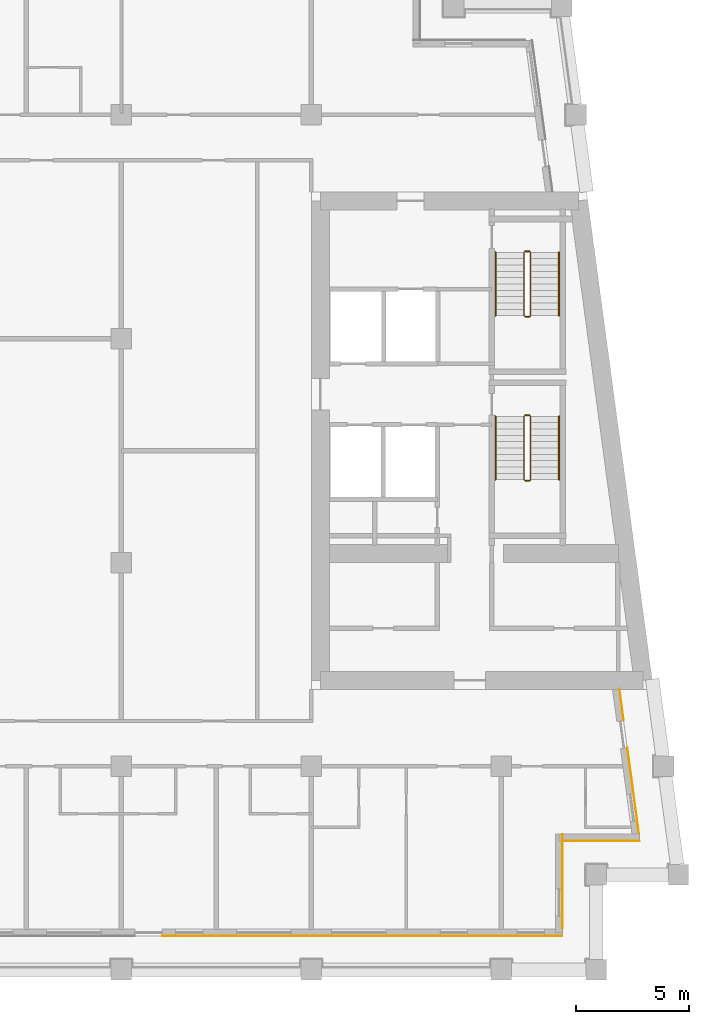
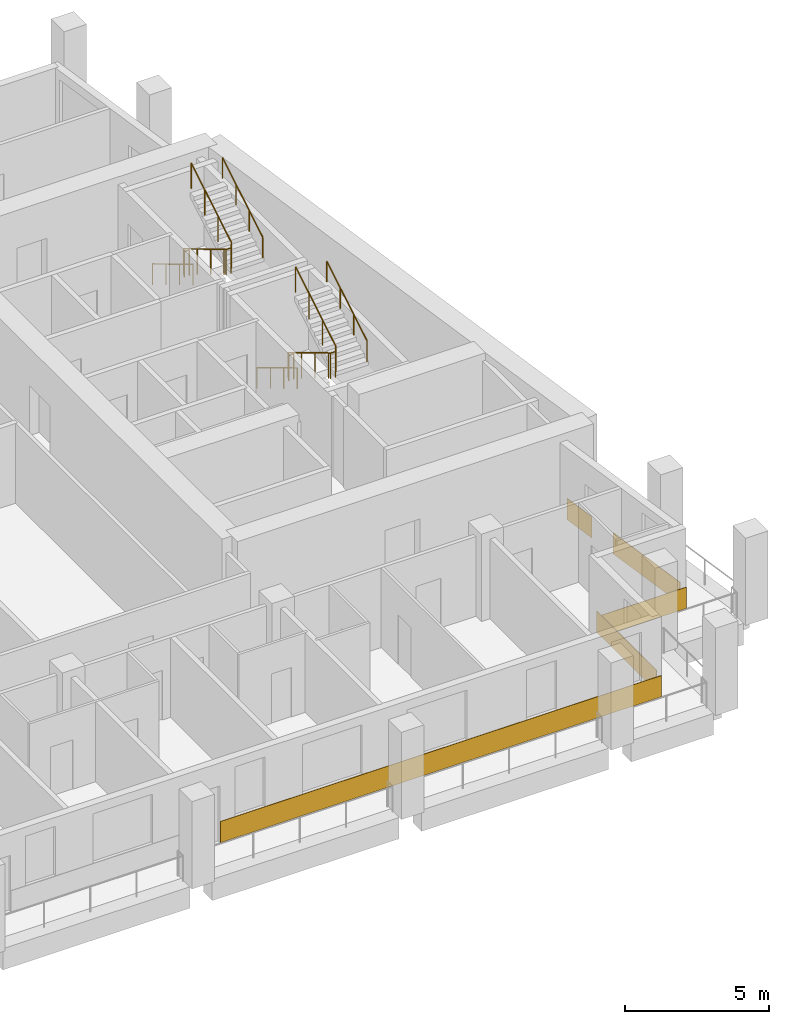
# One storey, part 10 of 12: 8 railings, 5 coverings.
"""IFC4 building model written with IfcOpenShell, lengths in metres."""

from ifc_helpers import new_model, si_unit, direction, frame, origin, origin_2d, place, context, subcontext, project, spatial, rectangle, circle, extrude, material, layer, layer_set, type_object, element, save


model = new_model("IFC4")

# Units and contexts
model_context = context("Model", 3, precision=1e-05, world=origin(), true_north=direction((0.0, 1.0)))
body_context = subcontext(model_context, "Body", "Model", "MODEL_VIEW")
ifc_project = project(units=[si_unit("LENGTHUNIT", "METRE"), si_unit("AREAUNIT", "SQUARE_METRE"), si_unit("VOLUMEUNIT", "CUBIC_METRE"), si_unit("PLANEANGLEUNIT", "RADIAN"), si_unit("MASSUNIT", "GRAM", prefix="KILO")], contexts=[model_context])

# Site, building, storey
site_placement = place(None, origin())
site = spatial("IfcSite", under=ifc_project, at=site_placement, CompositionType="ELEMENT")
building_placement = place(site_placement, origin())
building = spatial("IfcBuilding", under=site, at=building_placement, Name="Candeia Pilgrim Tower and Theatre", CompositionType="ELEMENT")
storey_placement = place(building_placement, frame((0.0, 0.0, 217.0)))
storey = spatial("IfcBuildingStorey", under=building, at=storey_placement, Name="L52", CompositionType="ELEMENT", Elevation=217.0)

# Coverings
ifc_material_1 = material(Name="Glazed ceramic tile bottle green")
ifc_layer_1 = layer(ifc_material_1, 0.02001953125)
ifc_layer_set_1 = layer_set([ifc_layer_1], Name="Glazed ceramic tile bottle green")
covering_type_1 = type_object("IfcCoveringType", Name="Glazed ceramic tile bottle green", PredefinedType="CLADDING", material=ifc_layer_set_1)
covering_1_placement = place(storey_placement, frame((128.25, 99.489990234375, 0.0), z_axis=(0.0, 0.0, 1.0), x_axis=(1.0, 0.0, 0.0)))
element("IfcCovering", 1, at=covering_1_placement, inside=storey, type_object=covering_type_1, Name="Tile cladding bottle green L52", PredefinedType="CLADDING", context=body_context, shape_type="SweptSolid", body=[
    extrude(rectangle(XDim=17.699951171875, YDim=0.02001953125, at=origin_2d()), origin(), (0.0, 0.0, 1.0), 0.89990234375),
])
covering_2_placement = place(storey_placement, frame((138.819580078125, 103.68994140625, 0.0), z_axis=(0.0, 0.0, 1.0), x_axis=(1.0, 0.0, 0.0)))
element("IfcCovering", 2, at=covering_2_placement, inside=storey, type_object=covering_type_1, Name="Tile cladding bottle green L52", PredefinedType="CLADDING", context=body_context, shape_type="SweptSolid", body=[
    extrude(rectangle(XDim=3.399169921875, YDim=0.02001953125, at=origin_2d()), origin(), (0.0, 0.0, 1.0), 0.89990234375),
])
ifc_material_2 = material(Name="Glazed ceramic tile rust")
ifc_layer_2 = layer(ifc_material_2, 0.02001953125)
ifc_layer_set_2 = layer_set([ifc_layer_2], Name="Glazed ceramic tile rust")
covering_type_2 = type_object("IfcCoveringType", Name="Glazed ceramic tile rust", PredefinedType="CLADDING", material=ifc_layer_set_2)
covering_3_placement = place(storey_placement, frame((137.110107421875, 101.909912109375, 0.0), z_axis=(0.0, 0.0, 1.0), x_axis=(0.0, 1.0, 0.0)))
element("IfcCovering", 3, at=covering_3_placement, inside=storey, type_object=covering_type_2, Name="Tile cladding rust L52", PredefinedType="CLADDING", context=body_context, shape_type="SweptSolid", body=[
    extrude(rectangle(XDim=4.179931640625, YDim=0.02001953125, at=origin_2d()), origin(), (0.0, 0.0, 1.0), 0.89990234375),
])
covering_4_placement = place(storey_placement, frame((140.228515625, 105.933349609375, 0.0), z_axis=(0.0, 0.0, 1.0), x_axis=(-0.133412012145, 0.991060661622, 0.0)))
element("IfcCovering", 4, at=covering_4_placement, inside=storey, type_object=covering_type_2, Name="Tile cladding rust L52", PredefinedType="CLADDING", context=body_context, shape_type="SweptSolid", body=[
    extrude(rectangle(XDim=3.821044921875, YDim=0.02001953125, at=origin_2d()), origin(), (0.0, 0.0, 1.0), 0.89990234375),
])
covering_5_placement = place(storey_placement, frame((139.718994140625, 109.71875, 0.0), z_axis=(0.0, 0.0, 1.0), x_axis=(-0.133412012145, 0.991060661622, 0.0)))
element("IfcCovering", 5, at=covering_5_placement, inside=storey, type_object=covering_type_2, Name="Tile cladding rust L52", PredefinedType="CLADDING", context=body_context, shape_type="SweptSolid", body=[
    extrude(rectangle(XDim=1.41796875, YDim=0.02001953125, at=origin_2d()), origin(), (0.0, 0.0, 1.0), 0.89990234375),
])

# Railings
ifc_material_3 = material(Name="Stainless steel balustrade", Category="steel")
railing_type_1 = type_object("IfcRailingType", Name="RL-GUARD-1100", PredefinedType="GUARDRAIL", material=ifc_material_3)
railing_1_placement = place(storey_placement, frame((135.39794921875, 122.47509765625, 0.168212890625)))
element("IfcRailing", 6, at=railing_1_placement, inside=storey, type_object=railing_type_1, Name="L52 ST3 stair guard 1", PredefinedType="GUARDRAIL", context=body_context, shape_type="SweptSolid", body=[
    extrude(circle(Radius=0.02392578125, at=origin_2d()), frame((0.0, 0.0, 1.076171875), z_axis=(0.0, -0.857242210791, 0.514913383045), x_axis=(1.0, 0.0, 0.0)), (0.0, 0.0, 1.0), 3.266357421875),
    extrude(circle(Radius=0.02392578125, at=origin_2d()), frame((0.0, -2.800048828125, 2.7578125), z_axis=(0.707106781187, -0.707106781187, 0.0), x_axis=(0.707106781187, 0.707106781187, 0.0)), (0.0, 0.0, 1.0), 0.07080078125),
    extrude(circle(Radius=0.02392578125, at=origin_2d()), frame((0.050048828125, -2.85009765625, 2.7578125), z_axis=(1.0, 0.0, 0.0), x_axis=(0.0, 1.0, 0.0)), (0.0, 0.0, 1.0), 0.199951171875),
    extrude(circle(Radius=0.02392578125, at=origin_2d()), frame((0.25, -2.85009765625, 2.7578125), z_axis=(0.274582412415, 0.274582412415, 0.921525364591), x_axis=(-0.707106781187, 0.707106781187, 0.0)), (0.0, 0.0, 1.0), 0.182373046875),
    extrude(circle(Radius=0.02392578125, at=origin_2d()), frame((0.300048828125, -2.800048828125, 2.92578125), z_axis=(0.0, 0.857242210791, 0.514913383045), x_axis=(-1.0, 0.0, 0.0)), (0.0, 0.0, 1.0), 3.266357421875),
    extrude(circle(Radius=0.02099609375, at=origin_2d()), origin(), (0.0, 0.0, 1.0), 1.052001953125),
    extrude(circle(Radius=0.02099609375, at=origin_2d()), frame((0.0, -0.933349609375, 0.560546875)), (0.0, 0.0, 1.0), 1.052001953125),
    extrude(circle(Radius=0.02099609375, at=origin_2d()), frame((0.0, -1.86669921875, 1.121337890625)), (0.0, 0.0, 1.0), 1.052001953125),
    extrude(circle(Radius=0.02099609375, at=origin_2d()), frame((0.0, -2.800048828125, 1.681884765625)), (0.0, 0.0, 1.0), 1.052001953125),
    extrude(circle(Radius=0.02099609375, at=origin_2d()), frame((0.050048828125, -2.85009765625, 1.681884765625)), (0.0, 0.0, 1.0), 1.052001953125),
    extrude(circle(Radius=0.02099609375, at=origin_2d()), frame((0.25, -2.85009765625, 1.681884765625)), (0.0, 0.0, 1.0), 1.052001953125),
    extrude(circle(Radius=0.02099609375, at=origin_2d()), frame((0.300048828125, -2.800048828125, 1.849853515625)), (0.0, 0.0, 1.0), 1.052001953125),
    extrude(circle(Radius=0.02099609375, at=origin_2d()), frame((0.300048828125, -1.86669921875, 2.410400390625)), (0.0, 0.0, 1.0), 1.052001953125),
    extrude(circle(Radius=0.02099609375, at=origin_2d()), frame((0.300048828125, -0.933349609375, 2.97119140625)), (0.0, 0.0, 1.0), 1.052001953125),
    extrude(circle(Radius=0.02099609375, at=origin_2d()), frame((0.300048828125, 0.0, 3.53173828125)), (0.0, 0.0, 1.0), 1.052001953125),
])
railing_2_placement = place(storey_placement, frame((135.447998046875, 122.52490234375, 0.0)))
element("IfcRailing", 7, at=railing_2_placement, inside=storey, type_object=railing_type_1, Name="L52 ST3 stair guard 2", PredefinedType="GUARDRAIL", context=body_context, shape_type="SweptSolid", body=[
    extrude(circle(Radius=0.02392578125, at=origin_2d()), frame((0.0, 0.0, 1.076171875), z_axis=(1.0, 0.0, 0.0), x_axis=(0.0, 1.0, 0.0)), (0.0, 0.0, 1.0), 0.199951171875),
    extrude(circle(Radius=0.02099609375, at=origin_2d()), origin(), (0.0, 0.0, 1.0), 1.052001953125),
    extrude(circle(Radius=0.02099609375, at=origin_2d()), frame((0.199951171875, 0.0, 0.0)), (0.0, 0.0, 1.0), 1.052001953125),
])
railing_3_placement = place(storey_placement, frame((135.39794921875, 129.72509765625, 0.168212890625)))
element("IfcRailing", 8, at=railing_3_placement, inside=storey, type_object=railing_type_1, Name="L52 ST4 stair guard 1", PredefinedType="GUARDRAIL", context=body_context, shape_type="SweptSolid", body=[
    extrude(circle(Radius=0.02392578125, at=origin_2d()), frame((0.0, 0.0, 1.076171875), z_axis=(0.0, -0.857242210791, 0.514913383045), x_axis=(1.0, 0.0, 0.0)), (0.0, 0.0, 1.0), 3.266357421875),
    extrude(circle(Radius=0.02392578125, at=origin_2d()), frame((0.0, -2.800048828125, 2.7578125), z_axis=(0.707106781187, -0.707106781187, 0.0), x_axis=(0.707106781187, 0.707106781187, 0.0)), (0.0, 0.0, 1.0), 0.07080078125),
    extrude(circle(Radius=0.02392578125, at=origin_2d()), frame((0.050048828125, -2.85009765625, 2.7578125), z_axis=(1.0, 0.0, 0.0), x_axis=(0.0, 1.0, 0.0)), (0.0, 0.0, 1.0), 0.199951171875),
    extrude(circle(Radius=0.02392578125, at=origin_2d()), frame((0.25, -2.85009765625, 2.7578125), z_axis=(0.274582412415, 0.274582412415, 0.921525364591), x_axis=(-0.707106781187, 0.707106781187, 0.0)), (0.0, 0.0, 1.0), 0.182373046875),
    extrude(circle(Radius=0.02392578125, at=origin_2d()), frame((0.300048828125, -2.800048828125, 2.92578125), z_axis=(0.0, 0.857242210791, 0.514913383045), x_axis=(-1.0, 0.0, 0.0)), (0.0, 0.0, 1.0), 3.266357421875),
    extrude(circle(Radius=0.02099609375, at=origin_2d()), origin(), (0.0, 0.0, 1.0), 1.052001953125),
    extrude(circle(Radius=0.02099609375, at=origin_2d()), frame((0.0, -0.933349609375, 0.560546875)), (0.0, 0.0, 1.0), 1.052001953125),
    extrude(circle(Radius=0.02099609375, at=origin_2d()), frame((0.0, -1.86669921875, 1.121337890625)), (0.0, 0.0, 1.0), 1.052001953125),
    extrude(circle(Radius=0.02099609375, at=origin_2d()), frame((0.0, -2.800048828125, 1.681884765625)), (0.0, 0.0, 1.0), 1.052001953125),
    extrude(circle(Radius=0.02099609375, at=origin_2d()), frame((0.050048828125, -2.85009765625, 1.681884765625)), (0.0, 0.0, 1.0), 1.052001953125),
    extrude(circle(Radius=0.02099609375, at=origin_2d()), frame((0.25, -2.85009765625, 1.681884765625)), (0.0, 0.0, 1.0), 1.052001953125),
    extrude(circle(Radius=0.02099609375, at=origin_2d()), frame((0.300048828125, -2.800048828125, 1.849853515625)), (0.0, 0.0, 1.0), 1.052001953125),
    extrude(circle(Radius=0.02099609375, at=origin_2d()), frame((0.300048828125, -1.86669921875, 2.410400390625)), (0.0, 0.0, 1.0), 1.052001953125),
    extrude(circle(Radius=0.02099609375, at=origin_2d()), frame((0.300048828125, -0.933349609375, 2.97119140625)), (0.0, 0.0, 1.0), 1.052001953125),
    extrude(circle(Radius=0.02099609375, at=origin_2d()), frame((0.300048828125, 0.0, 3.53173828125)), (0.0, 0.0, 1.0), 1.052001953125),
])
railing_4_placement = place(storey_placement, frame((135.447998046875, 129.77490234375, 0.0)))
element("IfcRailing", 9, at=railing_4_placement, inside=storey, type_object=railing_type_1, Name="L52 ST4 stair guard 2", PredefinedType="GUARDRAIL", context=body_context, shape_type="SweptSolid", body=[
    extrude(circle(Radius=0.02392578125, at=origin_2d()), frame((0.0, 0.0, 1.076171875), z_axis=(1.0, 0.0, 0.0), x_axis=(0.0, 1.0, 0.0)), (0.0, 0.0, 1.0), 0.199951171875),
    extrude(circle(Radius=0.02099609375, at=origin_2d()), origin(), (0.0, 0.0, 1.0), 1.052001953125),
    extrude(circle(Radius=0.02099609375, at=origin_2d()), frame((0.199951171875, 0.0, 0.0)), (0.0, 0.0, 1.0), 1.052001953125),
])
ifc_material_4 = material(Name="Stainless steel handrail", Category="steel")
railing_type_2 = type_object("IfcRailingType", Name="RL-HANDRAIL-900", PredefinedType="HANDRAIL", material=ifc_material_4)
railing_5_placement = place(storey_placement, frame((134.14794921875, 122.47509765625, 0.168212890625)))
element("IfcRailing", 10, at=railing_5_placement, inside=storey, type_object=railing_type_2, Name="L52 ST3 stair handrail 1", PredefinedType="HANDRAIL", context=body_context, shape_type="SweptSolid", body=[
    extrude(circle(Radius=0.02392578125, at=origin_2d()), frame((0.0, 0.0, 0.8759765625), z_axis=(0.0, -0.857242210791, 0.514913383045), x_axis=(1.0, 0.0, 0.0)), (0.0, 0.0, 1.0), 3.266357421875),
    extrude(circle(Radius=0.02099609375, at=origin_2d()), origin(), (0.0, 0.0, 1.0), 0.851806640625),
    extrude(circle(Radius=0.02099609375, at=origin_2d()), frame((0.0, -0.933349609375, 0.560546875)), (0.0, 0.0, 1.0), 0.851806640625),
    extrude(circle(Radius=0.02099609375, at=origin_2d()), frame((0.0, -1.86669921875, 1.121337890625)), (0.0, 0.0, 1.0), 0.851806640625),
    extrude(circle(Radius=0.02099609375, at=origin_2d()), frame((0.0, -2.800048828125, 1.681884765625)), (0.0, 0.0, 1.0), 0.851806640625),
])
railing_6_placement = place(storey_placement, frame((136.947998046875, 119.675048828125, 2.01806640625)))
element("IfcRailing", 11, at=railing_6_placement, inside=storey, type_object=railing_type_2, Name="L52 ST3 stair handrail 2", PredefinedType="HANDRAIL", context=body_context, shape_type="SweptSolid", body=[
    extrude(circle(Radius=0.02392578125, at=origin_2d()), frame((0.0, 0.0, 0.8759765625), z_axis=(0.0, 0.857242210791, 0.514913383045), x_axis=(-1.0, 0.0, 0.0)), (0.0, 0.0, 1.0), 3.266357421875),
    extrude(circle(Radius=0.02099609375, at=origin_2d()), origin(), (0.0, 0.0, 1.0), 0.851806640625),
    extrude(circle(Radius=0.02099609375, at=origin_2d()), frame((0.0, 0.933349609375, 0.560546875)), (0.0, 0.0, 1.0), 0.851806640625),
    extrude(circle(Radius=0.02099609375, at=origin_2d()), frame((0.0, 1.86669921875, 1.121337890625)), (0.0, 0.0, 1.0), 0.851806640625),
    extrude(circle(Radius=0.02099609375, at=origin_2d()), frame((0.0, 2.800048828125, 1.681884765625)), (0.0, 0.0, 1.0), 0.851806640625),
])
railing_7_placement = place(storey_placement, frame((134.14794921875, 129.72509765625, 0.168212890625)))
element("IfcRailing", 12, at=railing_7_placement, inside=storey, type_object=railing_type_2, Name="L52 ST4 stair handrail 1", PredefinedType="HANDRAIL", context=body_context, shape_type="SweptSolid", body=[
    extrude(circle(Radius=0.02392578125, at=origin_2d()), frame((0.0, 0.0, 0.8759765625), z_axis=(0.0, -0.857242210791, 0.514913383045), x_axis=(1.0, 0.0, 0.0)), (0.0, 0.0, 1.0), 3.266357421875),
    extrude(circle(Radius=0.02099609375, at=origin_2d()), origin(), (0.0, 0.0, 1.0), 0.851806640625),
    extrude(circle(Radius=0.02099609375, at=origin_2d()), frame((0.0, -0.933349609375, 0.560546875)), (0.0, 0.0, 1.0), 0.851806640625),
    extrude(circle(Radius=0.02099609375, at=origin_2d()), frame((0.0, -1.86669921875, 1.121337890625)), (0.0, 0.0, 1.0), 0.851806640625),
    extrude(circle(Radius=0.02099609375, at=origin_2d()), frame((0.0, -2.800048828125, 1.681884765625)), (0.0, 0.0, 1.0), 0.851806640625),
])
railing_8_placement = place(storey_placement, frame((136.947998046875, 126.925048828125, 2.01806640625)))
element("IfcRailing", 13, at=railing_8_placement, inside=storey, type_object=railing_type_2, Name="L52 ST4 stair handrail 2", PredefinedType="HANDRAIL", context=body_context, shape_type="SweptSolid", body=[
    extrude(circle(Radius=0.02392578125, at=origin_2d()), frame((0.0, 0.0, 0.8759765625), z_axis=(0.0, 0.857242210791, 0.514913383045), x_axis=(-1.0, 0.0, 0.0)), (0.0, 0.0, 1.0), 3.266357421875),
    extrude(circle(Radius=0.02099609375, at=origin_2d()), origin(), (0.0, 0.0, 1.0), 0.851806640625),
    extrude(circle(Radius=0.02099609375, at=origin_2d()), frame((0.0, 0.933349609375, 0.560546875)), (0.0, 0.0, 1.0), 0.851806640625),
    extrude(circle(Radius=0.02099609375, at=origin_2d()), frame((0.0, 1.86669921875, 1.121337890625)), (0.0, 0.0, 1.0), 0.851806640625),
    extrude(circle(Radius=0.02099609375, at=origin_2d()), frame((0.0, 2.800048828125, 1.681884765625)), (0.0, 0.0, 1.0), 0.851806640625),
])

save(model, "model.ifc")
